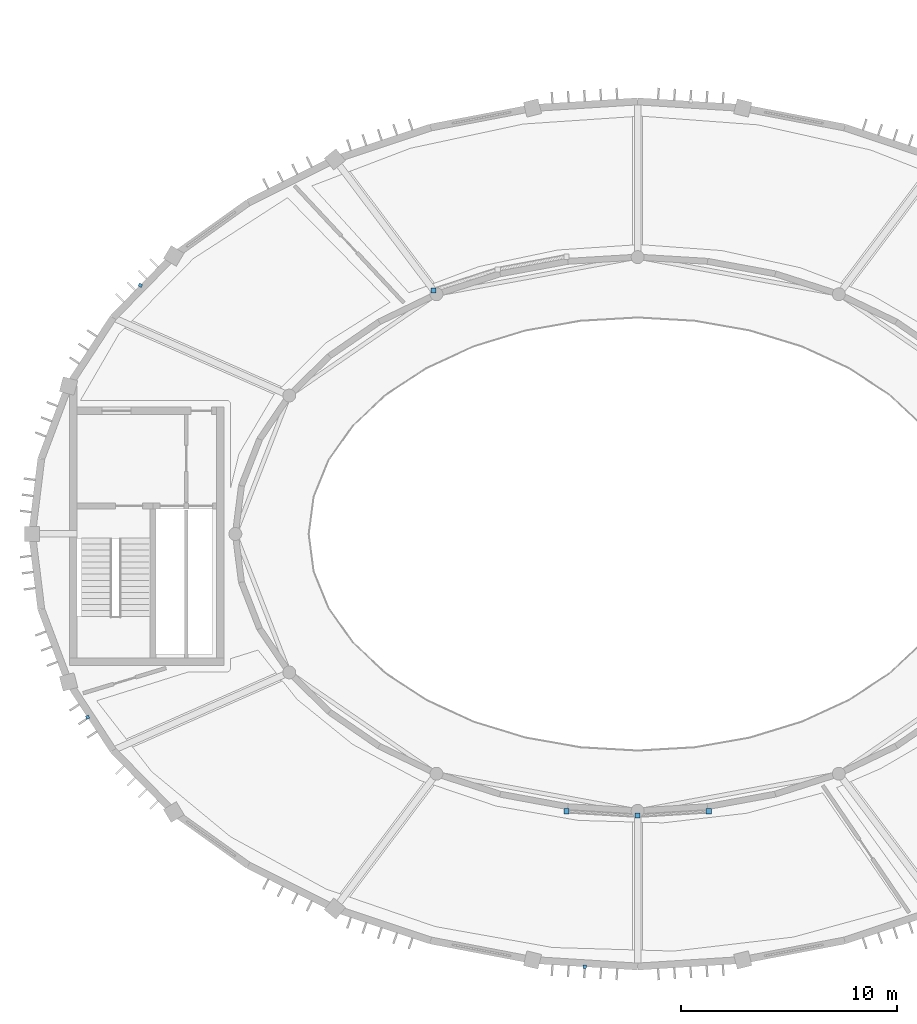
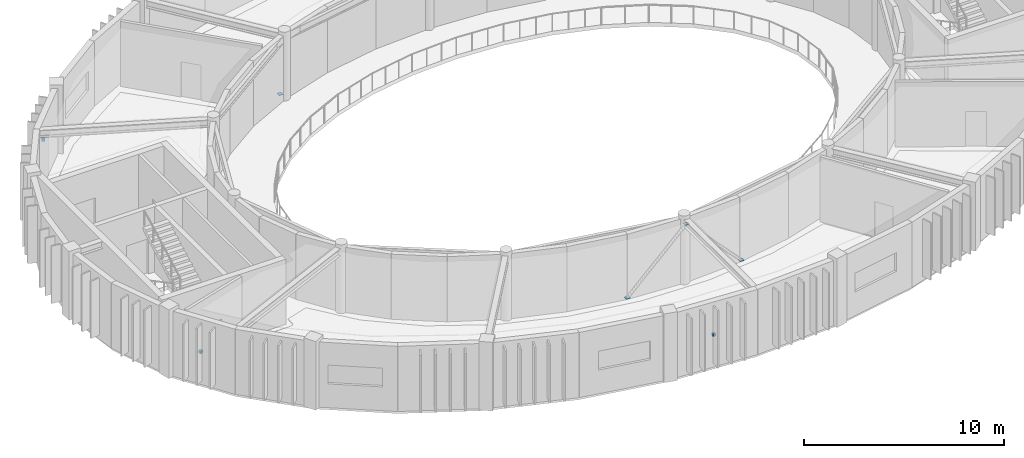
# One storey, part 22 of 29: 7 discrete accessories.
"""IFC4 building model written with IfcOpenShell, lengths in metres."""

from ifc_helpers import new_model, si_unit, direction, frame, origin, origin_2d, place, context, subcontext, project, spatial, rectangle, extrude, material, type_object, element, save


model = new_model("IFC4")

# Units and contexts
model_context = context("Model", 3, precision=1e-05, world=origin(), true_north=direction((0.0, 1.0)))
body_context = subcontext(model_context, "Body", "Model", "MODEL_VIEW")
ifc_project = project(units=[si_unit("LENGTHUNIT", "METRE"), si_unit("AREAUNIT", "SQUARE_METRE"), si_unit("VOLUMEUNIT", "CUBIC_METRE"), si_unit("PLANEANGLEUNIT", "RADIAN"), si_unit("MASSUNIT", "GRAM", prefix="KILO")], contexts=[model_context])

# Site, building, storey
site_placement = place(None, origin())
site = spatial("IfcSite", under=ifc_project, at=site_placement, CompositionType="ELEMENT")
building_placement = place(site_placement, origin())
building = spatial("IfcBuilding", under=site, at=building_placement, Name="Tarnveldt Headland Concert Hall", CompositionType="ELEMENT")
storey_placement = place(building_placement, frame((0.0, 0.0, 18.60009765625)))
storey = spatial("IfcBuildingStorey", under=building, at=storey_placement, Name="L04", CompositionType="ELEMENT", Elevation=18.60009765625)

# Discrete accessories
ifc_material_1 = material(Name="Marine stainless steel", Category="steel")
discrete_accessory_type_1 = type_object("IfcDiscreteAccessoryType", Name="BRK-FIN01", PredefinedType="BRACKET", material=ifc_material_1)
for number, where, z_axis, x_axis, name in (
    (1, (60.508056640625, 65.99951171875, 1.919921875), (0.0, 0.0, 1.0), (-0.89438856037, 0.447290848419, 0.0), "Facade fin stainless bracket 3"),
    (2, (58.068115234375, 46.029296875, 1.919921875), (0.0, 0.0, 1.0), (-0.948765771538, -0.315980237922, 0.0), "Facade fin stainless bracket 4"),
    (3, (81.049560546875, 34.4931640625, 1.919921875), (0.0, 0.0, 1.0), (-0.121522872021, -0.992588631597, 0.0), "Facade fin stainless bracket 5"),
):
    element("IfcDiscreteAccessory", number, at=place(storey_placement, frame(where, z_axis=z_axis, x_axis=x_axis)), inside=storey, type_object=discrete_accessory_type_1, Name=name, PredefinedType="BRACKET", context=body_context, shape_type="SweptSolid", body=[
        extrude(rectangle(XDim=0.159912109375, YDim=0.159912109375, at=origin_2d()), origin(), (0.0, 0.0, 1.0), 0.159912109375),
    ])
ifc_material_2 = material(Name="Steel S355", Category="steel")
discrete_accessory_type_2 = type_object("IfcDiscreteAccessoryType", Name="DA-GUS25", PredefinedType="BRACKET", material=ifc_material_2)
for number, where, z_axis, x_axis, name in (
    (4, (74.05859375, 65.753662109375, 0.16748046875), (0.0, 0.0, 1.0), (1.0, 0.0, 0.0), "Bolted brace gusset connection 43"),
    (5, (80.215576171875, 41.681396484375, 0.16748046875), (0.0, 0.0, 1.0), (1.0, 0.0, 0.0), "Bolted brace gusset connection 45"),
    (6, (86.784423828125, 41.681396484375, 0.16748046875), (0.0, 0.0, 1.0), (1.0, 0.0, 0.0), "Bolted brace gusset connection 46"),
    (7, (83.5, 41.47998046875, 3.6474609375), (0.0, 0.0, 1.0), (1.0, 0.0, 0.0), "Bolted brace gusset connection 47"),
):
    element("IfcDiscreteAccessory", number, at=place(storey_placement, frame(where, z_axis=z_axis, x_axis=x_axis)), inside=storey, type_object=discrete_accessory_type_2, Name=name, PredefinedType="BRACKET", context=body_context, shape_type="SweptSolid", body=[
        extrude(rectangle(XDim=0.239990234375, YDim=0.239990234375, at=origin_2d()), origin(), (0.0, 0.0, 1.0), 0.02490234375),
    ])

save(model, "model.ifc")
